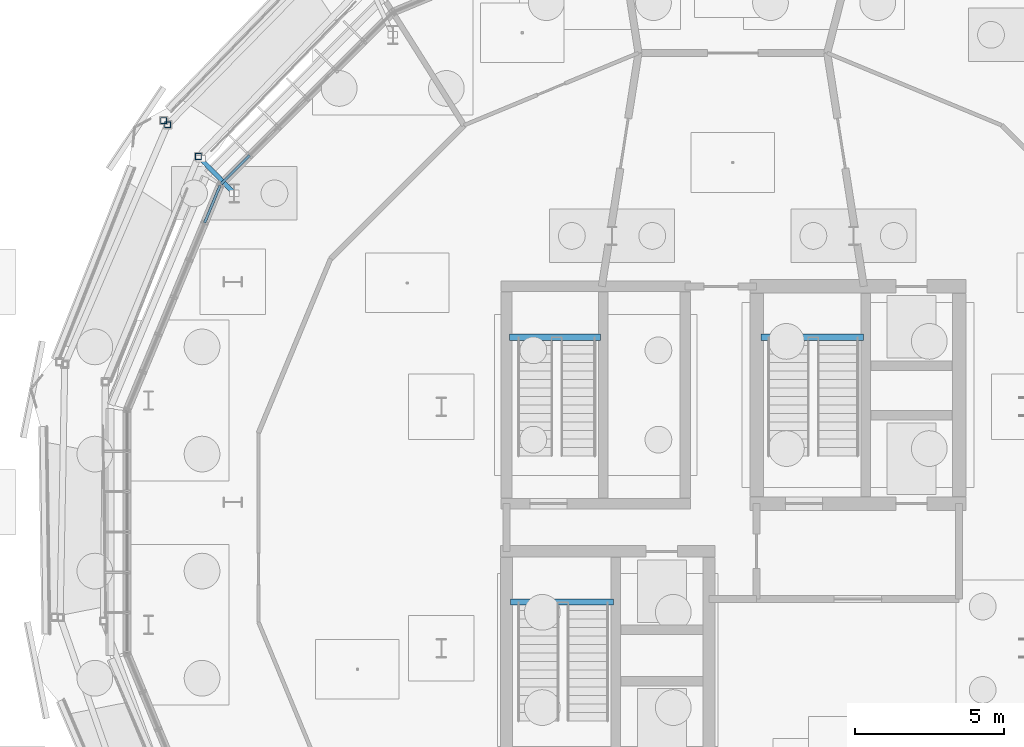
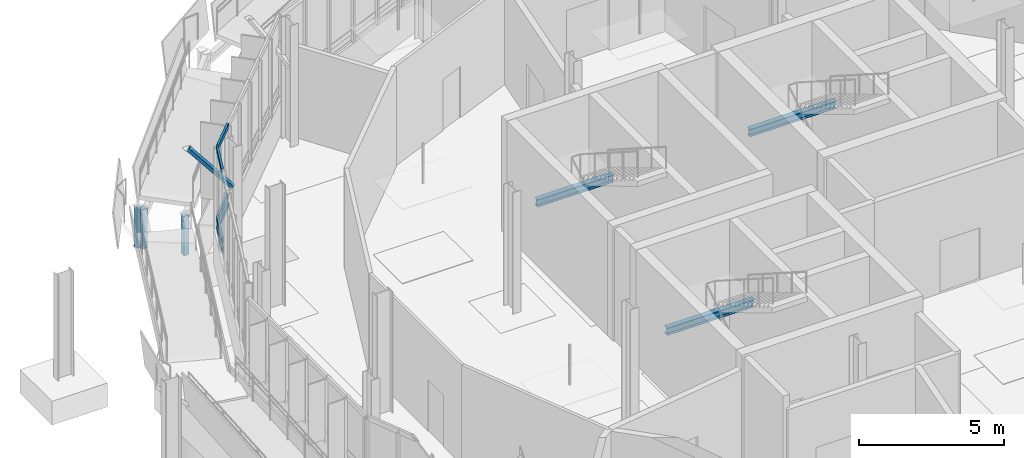
# One storey, part 49 of 119: 10 members, 3 beams, 2 elements without a shape of their own.
"""IFC4 building model written with IfcOpenShell, lengths in metres."""

import ifcopenshell
import ifcopenshell.guid

model = None  # the IFC model being written
_history = None  # IfcOwnerHistory: only IFC2X3 demands one
_inside = {}  # id of a spatial element -> (the spatial element, [elements in it])
_under = {}  # id of a project, library or spatial element -> (it, [spatial elements below it])
_declared = {}  # id of a project -> (the project, [libraries it declares])
_typed = {}  # id of a type object -> (the type object, [elements of that type])
_made_of = {}  # id of a material, layer set ... -> (it, [elements and type objects made of it])


def new_model(schema):
    """Start an empty IFC model of exactly this schema.

    Asked for "IFC4X3", IfcOpenShell would pick the latest addendum, in which some entities
    have other attributes; the version numbers below select the first issue.
    IFC2X3 requires an IfcOwnerHistory on every rooted entity: one is made here for all.
    """
    global model, _history
    if schema == "IFC4X3":
        model = ifcopenshell.file(schema_version=(4, 3, 0, 0))
    else:
        model = ifcopenshell.file(schema=schema)
    _inside.clear()
    _under.clear()
    _declared.clear()
    _typed.clear()
    _made_of.clear()
    _history = None
    if model.schema == "IFC2X3":
        org = make("IfcOrganization", Name="unknown")
        user = make(
            "IfcPersonAndOrganization",
            ThePerson=make("IfcPerson", FamilyName="unknown"),
            TheOrganization=org,
        )
        app = make(
            "IfcApplication",
            ApplicationDeveloper=org,
            Version="unknown",
            ApplicationFullName="unknown",
            ApplicationIdentifier="unknown",
        )
        _history = make(
            "IfcOwnerHistory",
            OwningUser=user,
            OwningApplication=app,
            ChangeAction="ADDED",
            CreationDate=0,
        )
    return model


def make(cls, **values):
    """One entity of the class cls with the attributes given. An attribute that is None is left unset."""
    return model.create_entity(
        cls, **{name: value for name, value in values.items() if value is not None}
    )


def rooted(cls, **values):
    """An entity with a GlobalId (a new one), such as an element, a storey or a relation."""
    return make(cls, GlobalId=ifcopenshell.guid.new(), OwnerHistory=_history, **values)


def si_unit(unit_type, name, prefix=None):
    """IfcSIUnit, for example si_unit("LENGTHUNIT", "METRE", prefix="MILLI")."""
    return make("IfcSIUnit", UnitType=unit_type, Prefix=prefix, Name=name)


def derived_unit(unit_type, elements):
    """IfcDerivedUnit: a product of units, each with its exponent."""
    return make(
        "IfcDerivedUnit",
        Elements=[
            make("IfcDerivedUnitElement", Unit=unit, Exponent=power)
            for unit, power in elements
        ],
        UnitType=unit_type,
    )


def assignment(units):
    """IfcUnitAssignment: the units of a project."""
    return None if units is None else make("IfcUnitAssignment", Units=units)


def point(xyz):
    """IfcCartesianPoint."""
    return None if xyz is None else make("IfcCartesianPoint", Coordinates=xyz)


def direction(xyz):
    """IfcDirection."""
    return None if xyz is None else make("IfcDirection", DirectionRatios=xyz)


def frame(location, z_axis=None, x_axis=None):
    """IfcAxis2Placement3D, a coordinate frame: its origin and axes. An axis left out is left unset."""
    return make(
        "IfcAxis2Placement3D",
        Location=point(location),
        Axis=direction(z_axis),
        RefDirection=direction(x_axis),
    )


def frame_2d(location, x_axis=None):
    """IfcAxis2Placement2D, a coordinate frame in the plane: its origin and x axis."""
    return make(
        "IfcAxis2Placement2D", Location=point(location), RefDirection=direction(x_axis)
    )


def origin():
    """The frame at (0, 0, 0) with its axes left unset."""
    return frame((0.0, 0.0, 0.0))


def origin_2d():
    """The frame at (0, 0) in the plane with its x axis left unset."""
    return frame_2d((0.0, 0.0))


def place(relative_to, where):
    """IfcLocalPlacement: puts the frame where relative to a parent placement (None: the world)."""
    return make(
        "IfcLocalPlacement", PlacementRelTo=relative_to, RelativePlacement=where
    )


def context(
    kind, dimensions, precision=None, world=None, true_north=None, identifier=None
):
    """IfcGeometricRepresentationContext, for example the 3D "Model" context."""
    return make(
        "IfcGeometricRepresentationContext",
        ContextIdentifier=identifier,
        ContextType=kind,
        CoordinateSpaceDimension=dimensions,
        Precision=precision,
        WorldCoordinateSystem=world,
        TrueNorth=true_north,
    )


def subcontext(parent, identifier, kind, view, scale=None):
    """IfcGeometricRepresentationSubContext, for example "Body" below "Model"."""
    return make(
        "IfcGeometricRepresentationSubContext",
        ContextIdentifier=identifier,
        ContextType=kind,
        ParentContext=parent,
        TargetScale=scale,
        TargetView=view,
    )


def project(units=None, contexts=None):
    """IfcProject with its units and contexts."""
    return rooted(
        "IfcProject",
        Name="project",
        RepresentationContexts=contexts,
        UnitsInContext=assignment(units),
    )


def spatial(cls, under=None, at=None, **own):
    """A site, building, storey or space (cls), placed at a placement, below another one or the project."""
    s = rooted(cls, ObjectPlacement=at, **own)
    if under is not None:
        _under.setdefault(under.id(), (under, []))[1].append(s)
    return s


def profile(cls, at=None, kind="AREA", **sizes):
    """A parametric profile (cls). Its sizes go by their IFC names, for example OverallWidth=200.0."""
    return make(cls, ProfileType=kind, Position=at, **sizes)


def hollow_rectangle(**sizes):
    """IfcRectangleHollowProfileDef."""
    return profile("IfcRectangleHollowProfileDef", **sizes)


def i_section(**sizes):
    """IfcIShapeProfileDef."""
    return profile("IfcIShapeProfileDef", **sizes)


def extrude(swept, where, along, depth):
    """IfcExtrudedAreaSolid: the profile swept, set in the frame where, extruded along a direction by depth."""
    return make(
        "IfcExtrudedAreaSolid",
        SweptArea=swept,
        Position=where,
        ExtrudedDirection=direction(along),
        Depth=depth,
    )


def shape(context_of_items, identifier, shape_type, items):
    """IfcShapeRepresentation: the items that make up one representation, for example the "Body"."""
    return make(
        "IfcShapeRepresentation",
        ContextOfItems=context_of_items,
        RepresentationIdentifier=identifier,
        RepresentationType=shape_type,
        Items=items,
    )


def material(Name=None, Category=None):
    """IfcMaterial."""
    return make("IfcMaterial", Name=Name, Category=Category)


def layer(
    of_material, thickness, ventilated=None, Name=None, Category=None, Priority=None
):
    """IfcMaterialLayer: one layer of a wall or slab, of a material (None: an air gap)."""
    return make(
        "IfcMaterialLayer",
        Material=of_material,
        LayerThickness=thickness,
        IsVentilated=ventilated,
        Name=Name,
        Category=Category,
        Priority=Priority,
    )


def layer_set(layers, Name=None):
    """IfcMaterialLayerSet."""
    return make("IfcMaterialLayerSet", MaterialLayers=layers, LayerSetName=Name)


def material_profile(
    of_material, cross_section, Name=None, Category=None, Priority=None
):
    """IfcMaterialProfile: a cross section and its material."""
    return make(
        "IfcMaterialProfile",
        Name=Name,
        Material=of_material,
        Profile=cross_section,
        Priority=Priority,
        Category=Category,
    )


def profile_set(profiles, Name=None, composite=None):
    """IfcMaterialProfileSet."""
    return make(
        "IfcMaterialProfileSet",
        Name=Name,
        MaterialProfiles=profiles,
        CompositeProfile=composite,
    )


def made_of(thing, what):
    """Note that an element or type object is made of a material, layer set ...; save() writes the relation."""
    if what is not None:
        _made_of.setdefault(what.id(), (what, []))[1].append(thing)
    return thing


def type_object(cls, material=None, **own):
    """A type object (cls), such as IfcWallType, which elements share."""
    return made_of(rooted(cls, **own), material)


def element(
    cls,
    number,
    at=None,
    inside=None,
    cuts=None,
    type_object=None,
    material=None,
    context=None,
    identifier="Body",
    shape_type=None,
    held_by="IfcProductDefinitionShape",
    body=None,
    shapes=None,
    **own,
):
    """One element of the class cls, such as IfcWall. Its Tag is "e" and its number.

    at: its placement. inside: the storey or other place that contains it. cuts: it is an
    opening in that element (IfcRelVoidsElement). A single representation is given by context,
    identifier, shape_type and body (its items); several are given by shapes. held_by: the class
    of the entity that holds the representations. save() writes the other relations.
    """
    e = rooted(cls, Tag="e%d" % number, ObjectPlacement=at, **own)
    if body is not None:
        shapes = [shape(context, identifier, shape_type, body)]
    if shapes is not None:
        e.Representation = make(held_by, Representations=shapes)
    if inside is not None:
        _inside.setdefault(inside.id(), (inside, []))[1].append(e)
    if cuts is not None:
        rooted(
            "IfcRelVoidsElement", RelatingBuildingElement=cuts, RelatedOpeningElement=e
        )
    if type_object is not None:
        _typed.setdefault(type_object.id(), (type_object, []))[1].append(e)
    return made_of(e, material)


def aggregate(whole, parts):
    """IfcRelAggregates: a whole, such as a stair, and the parts it consists of."""
    return rooted("IfcRelAggregates", RelatingObject=whole, RelatedObjects=parts)


def save(model, path):
    """Write the relations noted so far, then the file.

    IfcRelAggregates (storeys below a building ...), IfcRelContainedInSpatialStructure (elements
    in a storey), IfcRelDefinesByType, IfcRelAssociatesMaterial and IfcRelDeclares: one each for
    every whole, place, type object, material and project.
    """
    for whole, parts in _under.values():
        aggregate(whole, parts)
    for where, things in _inside.values():
        rooted(
            "IfcRelContainedInSpatialStructure",
            RelatedElements=things,
            RelatingStructure=where,
        )
    for kind, things in _typed.values():
        rooted("IfcRelDefinesByType", RelatedObjects=things, RelatingType=kind)
    for what, things in _made_of.values():
        rooted("IfcRelAssociatesMaterial", RelatedObjects=things, RelatingMaterial=what)
    for by, libraries in _declared.values():
        rooted("IfcRelDeclares", RelatingContext=by, RelatedDefinitions=libraries)
    model.write(path)


model = new_model("IFC4")

# Units and contexts
model_context = context("Model", 3, precision=1e-05, world=origin(), true_north=direction((0.0, 1.0)))
body_context = subcontext(model_context, "Body", "Model", "MODEL_VIEW")
ifc_project = project(units=[si_unit("LENGTHUNIT", "METRE"), si_unit("AREAUNIT", "SQUARE_METRE"), si_unit("VOLUMEUNIT", "CUBIC_METRE"), si_unit("PLANEANGLEUNIT", "RADIAN"), si_unit("MASSUNIT", "GRAM", prefix="KILO"), derived_unit("THERMALTRANSMITTANCEUNIT", [(si_unit("MASSUNIT", "GRAM", prefix="KILO"), 1), (si_unit("TIMEUNIT", "SECOND"), -3), (si_unit("THERMODYNAMICTEMPERATUREUNIT", "KELVIN"), -1)])], contexts=[model_context])

# Site, building, storey
site_placement = place(None, origin())
site = spatial("IfcSite", under=ifc_project, at=site_placement, CompositionType="ELEMENT")
building_placement = place(site_placement, origin())
building = spatial("IfcBuilding", under=site, at=building_placement, Name="Makaiwela Harbour Ferry Terminal", CompositionType="ELEMENT")
storey_placement = place(building_placement, origin())
storey = spatial("IfcBuildingStorey", under=building, at=storey_placement, Name="L00", CompositionType="ELEMENT", Elevation=0.0)

# Curtain wall, members
ifc_material_1 = material(Name="Marine anodised aluminium 6063-T6", Category="aluminium")
ifc_layer = layer(ifc_material_1, 0.199951171875)
ifc_layer_set = layer_set([ifc_layer], Name="Marine anodised aluminium 6063-T6")
curtain_wall_type = type_object("IfcCurtainWallType", Name="ENV-CW-01", PredefinedType="USERDEFINED", material=ifc_layer_set)
curtain_wall_1_placement = place(storey_placement, origin())
curtain_wall_1 = element("IfcCurtainWall", 1, at=curtain_wall_1_placement, inside=storey, type_object=curtain_wall_type, Name="Unitised Curtain Wall CWA-004", ObjectType="UNITIZED CURTAIN WALL", PredefinedType="USERDEFINED")
ifc_material_profile_1 = material_profile(ifc_material_1, hollow_rectangle(XDim=0.0849609375, YDim=0.199951171875, WallThickness=0.0048828125, at=origin_2d()), Name="CWT-200X85")
ifc_profile_set_1 = profile_set([ifc_material_profile_1], Name="Marine anodised aluminium 6063-T6")
member_type_1 = type_object("IfcMemberType", Name="CW-TRN-200", PredefinedType="USERDEFINED", material=ifc_profile_set_1)
member_1_placement = place(storey_placement, frame((21.56884765625, 80.0966796875, 1.47998046875), z_axis=(-0.707106781187, -0.707106781187, 0.0), x_axis=(0.707106781187, -0.707106781187, 0.0)))
member_1 = element("IfcMember", 2, at=member_1_placement, type_object=member_type_1, Name="Curtain Wall Transom CWA-004-6-1", ObjectType="TRANSOM", PredefinedType="USERDEFINED", context=body_context, shape_type="SweptSolid", body=[
    extrude(hollow_rectangle(XDim=0.0849609375, YDim=0.199951171875, WallThickness=0.0048828125, at=origin_2d()), origin(), (0.0, 0.0, 1.0), 1.35546875),
])
member_2_placement = place(storey_placement, frame((21.56884765625, 80.0966796875, 1.89990234375), z_axis=(-0.707106781187, -0.707106781187, 0.0), x_axis=(0.707106781187, -0.707106781187, 0.0)))
member_2 = element("IfcMember", 3, at=member_2_placement, type_object=member_type_1, Name="Curtain Wall Transom CWA-004-6-2", ObjectType="TRANSOM", PredefinedType="USERDEFINED", context=body_context, shape_type="SweptSolid", body=[
    extrude(hollow_rectangle(XDim=0.0849609375, YDim=0.199951171875, WallThickness=0.0048828125, at=origin_2d()), origin(), (0.0, 0.0, 1.0), 1.35546875),
])
member_3_placement = place(storey_placement, frame((21.56884765625, 80.0966796875, 4.820068359375), z_axis=(-0.707106781187, -0.707106781187, 0.0), x_axis=(0.707106781187, -0.707106781187, 0.0)))
member_3 = element("IfcMember", 4, at=member_3_placement, type_object=member_type_1, Name="Curtain Wall Transom CWA-004-6-3", ObjectType="TRANSOM", PredefinedType="USERDEFINED", context=body_context, shape_type="SweptSolid", body=[
    extrude(hollow_rectangle(XDim=0.0849609375, YDim=0.199951171875, WallThickness=0.0048828125, at=origin_2d()), origin(), (0.0, 0.0, 1.0), 1.35546875),
])
aggregate(curtain_wall_1, [member_1, member_2, member_3])

curtain_wall_2_placement = place(storey_placement, origin())
curtain_wall_2 = element("IfcCurtainWall", 5, at=curtain_wall_2_placement, inside=storey, type_object=curtain_wall_type, Name="Unitised Curtain Wall CWA-005", ObjectType="UNITIZED CURTAIN WALL", PredefinedType="USERDEFINED")
member_4_placement = place(storey_placement, frame((20.57763671875, 79.08935546875, 1.47998046875), z_axis=(-0.382696410016, -0.923874156886, 0.0), x_axis=(0.923874156886, -0.382696410016, 0.0)))
member_4 = element("IfcMember", 6, at=member_4_placement, type_object=member_type_1, Name="Curtain Wall Transom CWA-005-1-1", ObjectType="TRANSOM", PredefinedType="USERDEFINED", context=body_context, shape_type="SweptSolid", body=[
    extrude(hollow_rectangle(XDim=0.0849609375, YDim=0.199951171875, WallThickness=0.0048828125, at=origin_2d()), origin(), (0.0, 0.0, 1.0), 1.355712890625),
])
member_5_placement = place(storey_placement, frame((20.57763671875, 79.08935546875, 1.89990234375), z_axis=(-0.382696410016, -0.923874156886, 0.0), x_axis=(0.923874156886, -0.382696410016, 0.0)))
member_5 = element("IfcMember", 7, at=member_5_placement, type_object=member_type_1, Name="Curtain Wall Transom CWA-005-1-2", ObjectType="TRANSOM", PredefinedType="USERDEFINED", context=body_context, shape_type="SweptSolid", body=[
    extrude(hollow_rectangle(XDim=0.0849609375, YDim=0.199951171875, WallThickness=0.0048828125, at=origin_2d()), origin(), (0.0, 0.0, 1.0), 1.355712890625),
])
member_6_placement = place(storey_placement, frame((20.57763671875, 79.08935546875, 4.820068359375), z_axis=(-0.382696410016, -0.923874156886, 0.0), x_axis=(0.923874156886, -0.382696410016, 0.0)))
member_6 = element("IfcMember", 8, at=member_6_placement, type_object=member_type_1, Name="Curtain Wall Transom CWA-005-1-3", ObjectType="TRANSOM", PredefinedType="USERDEFINED", context=body_context, shape_type="SweptSolid", body=[
    extrude(hollow_rectangle(XDim=0.0849609375, YDim=0.199951171875, WallThickness=0.0048828125, at=origin_2d()), origin(), (0.0, 0.0, 1.0), 1.355712890625),
])
aggregate(curtain_wall_2, [member_4, member_5, member_6])

# Beams
ifc_material_2 = material(Name="Steel ASTM A992 Grade 50", Category="steel")
ifc_material_profile_2 = material_profile(ifc_material_2, i_section(OverallWidth=0.205078125, OverallDepth=0.31005859375, WebThickness=0.009521484375, FlangeThickness=0.016357421875, at=origin_2d()), Name="W12X50")
ifc_profile_set_2 = profile_set([ifc_material_profile_2], Name="Steel ASTM A992 Grade 50")
beam_type = type_object("IfcBeamType", Name="STR-LNT-W12X50", PredefinedType="LINTEL", material=ifc_profile_set_2)
beam_1_placement = place(storey_placement, frame((38.75, 73.989990234375, 2.2451171875), z_axis=(1.0, 0.0, 0.0), x_axis=(0.0, 1.0, 0.0)))
element("IfcBeam", 9, at=beam_1_placement, inside=storey, type_object=beam_type, Name="Stair Landing Beam ST-01-L00", PredefinedType="LINTEL", context=body_context, shape_type="SweptSolid", body=[
    extrude(i_section(OverallWidth=0.205078125, OverallDepth=0.31005859375, WebThickness=0.009521484375, FlangeThickness=0.016357421875, at=origin_2d()), origin(), (0.0, 0.0, 1.0), 3.43701171875),
])
beam_2_placement = place(storey_placement, frame((30.324951171875, 65.090087890625, 2.2451171875), z_axis=(1.0, 0.0, 0.0), x_axis=(0.0, 1.0, 0.0)))
element("IfcBeam", 10, at=beam_2_placement, inside=storey, type_object=beam_type, Name="Stair Landing Beam ST-02-L00", PredefinedType="LINTEL", context=body_context, shape_type="SweptSolid", body=[
    extrude(i_section(OverallWidth=0.205078125, OverallDepth=0.31005859375, WebThickness=0.009521484375, FlangeThickness=0.016357421875, at=origin_2d()), origin(), (0.0, 0.0, 1.0), 3.462158203125),
])
beam_3_placement = place(storey_placement, frame((30.304931640625, 73.989990234375, 2.2451171875), z_axis=(1.0, 0.0, 0.0), x_axis=(0.0, 1.0, 0.0)))
element("IfcBeam", 11, at=beam_3_placement, inside=storey, type_object=beam_type, Name="Stair Landing Beam ST-03-L00", PredefinedType="LINTEL", context=body_context, shape_type="SweptSolid", body=[
    extrude(i_section(OverallWidth=0.205078125, OverallDepth=0.31005859375, WebThickness=0.009521484375, FlangeThickness=0.016357421875, at=origin_2d()), origin(), (0.0, 0.0, 1.0), 3.050048828125),
])

# Members
ifc_material_3 = material(Name="Steel ASTM A500 Grade C", Category="steel")
ifc_material_profile_3 = material_profile(ifc_material_3, hollow_rectangle(XDim=0.202880859375, YDim=0.202880859375, WallThickness=0.01171875, at=origin_2d()), Name="HSS8X8X1/2")
ifc_profile_set_3 = profile_set([ifc_material_profile_3], Name="Steel ASTM A500 Grade C")
member_type_2 = type_object("IfcMemberType", Name="STR-PST-HSS8", PredefinedType="POST", material=ifc_profile_set_3)
member_7_placement = place(storey_placement, frame((18.67919921875, 81.268310546875, 0.050048828125), z_axis=(0.0, 0.0, 1.0), x_axis=(1.0, 0.0, 0.0)))
element("IfcMember", 12, at=member_7_placement, inside=storey, type_object=member_type_2, Name="Exterior Ramp Support Post RP-0030", PredefinedType="POST", context=body_context, shape_type="SweptSolid", body=[
    extrude(hollow_rectangle(XDim=0.202880859375, YDim=0.202880859375, WallThickness=0.01171875, at=origin_2d()), origin(), (0.0, 0.0, 1.0), 1.6923828125),
])
member_8_placement = place(storey_placement, frame((18.81494140625, 81.12841796875, 0.050048828125), z_axis=(0.0, 0.0, 1.0), x_axis=(1.0, 0.0, 0.0)))
element("IfcMember", 13, at=member_8_placement, inside=storey, type_object=member_type_2, Name="Exterior Ramp Support Post RP-0032", PredefinedType="POST", context=body_context, shape_type="SweptSolid", body=[
    extrude(hollow_rectangle(XDim=0.202880859375, YDim=0.202880859375, WallThickness=0.01171875, at=origin_2d()), origin(), (0.0, 0.0, 1.0), 1.6845703125),
])
member_9_placement = place(storey_placement, frame((19.8505859375, 80.06103515625, 0.050048828125), z_axis=(0.0, 0.0, 1.0), x_axis=(1.0, 0.0, 0.0)))
element("IfcMember", 14, at=member_9_placement, inside=storey, type_object=member_type_2, Name="Exterior Ramp Support Post RP-0033", PredefinedType="POST", context=body_context, shape_type="SweptSolid", body=[
    extrude(hollow_rectangle(XDim=0.202880859375, YDim=0.202880859375, WallThickness=0.01171875, at=origin_2d()), origin(), (0.0, 0.0, 1.0), 1.6875),
])
ifc_material_profile_4 = material_profile(ifc_material_3, hollow_rectangle(XDim=0.152099609375, YDim=0.152099609375, WallThickness=0.0087890625, at=origin_2d()), Name="HSS6X6X3/8")
ifc_profile_set_4 = profile_set([ifc_material_profile_4], Name="Steel ASTM A500 Grade C")
member_type_3 = type_object("IfcMemberType", Name="STR-STT-HSS6", PredefinedType="STRUT", material=ifc_profile_set_4)
member_10_placement = place(storey_placement, frame((21.052490234375, 78.822509765625, 3.199951171875), z_axis=(-0.540561643711, 0.557102266923, 0.630420632227), x_axis=(-0.717680647213, -0.696372377839, 0.0)))
element("IfcMember", 15, at=member_10_placement, inside=storey, type_object=member_type_3, Name="Structural Member SR-01", PredefinedType="STRUT", context=body_context, shape_type="SweptSolid", body=[
    extrude(hollow_rectangle(XDim=0.152099609375, YDim=0.152099609375, WallThickness=0.0087890625, at=origin_2d()), origin(), (0.0, 0.0, 1.0), 2.0810546875),
])

save(model, "model.ifc")
